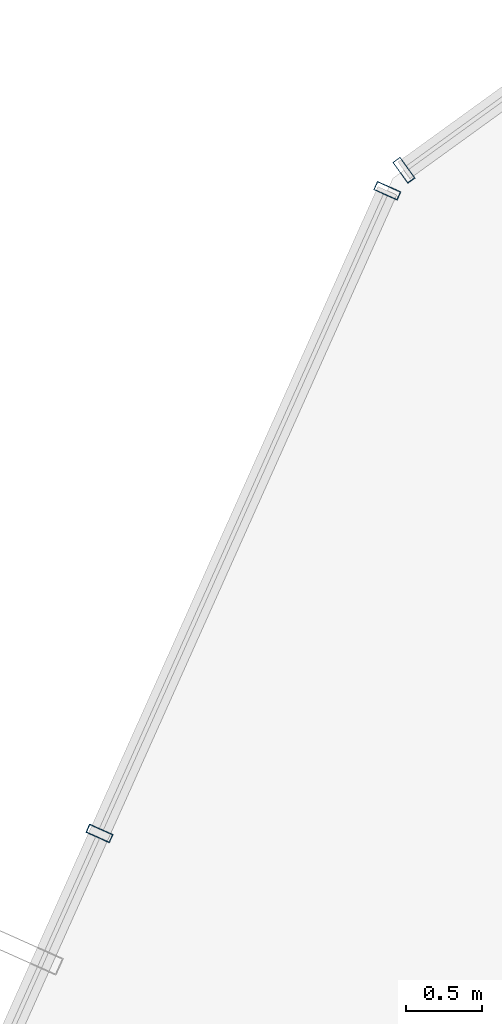
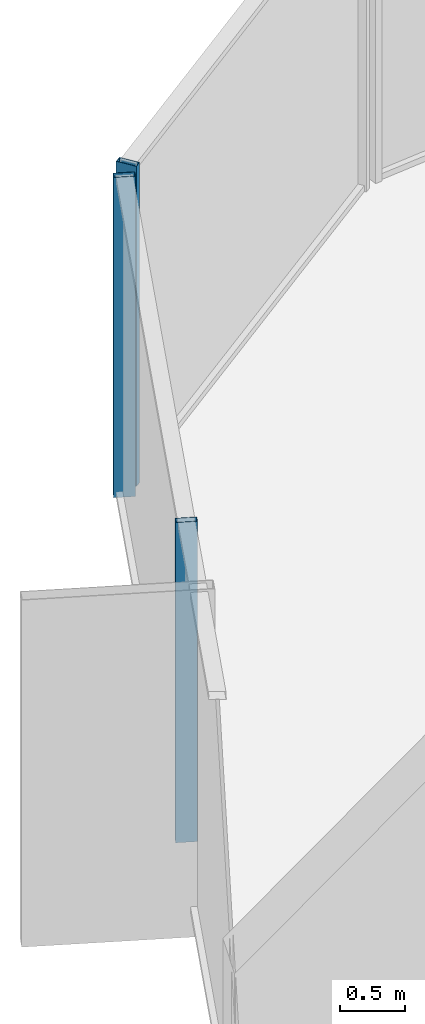
# One storey, part 21 of 37: 3 members, 2 elements without a shape of their own.
"""IFC4 building model written with IfcOpenShell, lengths in metres."""

from ifc_helpers import new_model, si_unit, direction, frame, origin, origin_2d, place, context, subcontext, project, spatial, hollow_rectangle, extrude, source, transform, mapped, material, layer, layer_set, material_profile, profile_set, type_object, element, aggregate, save


model = new_model("IFC4")

# Units and contexts
model_context = context("Model", 3, precision=1e-05, world=origin(), true_north=direction((0.0, 1.0)))
body_context = subcontext(model_context, "Body", "Model", "MODEL_VIEW")
ifc_project = project(units=[si_unit("LENGTHUNIT", "METRE"), si_unit("AREAUNIT", "SQUARE_METRE"), si_unit("VOLUMEUNIT", "CUBIC_METRE"), si_unit("PLANEANGLEUNIT", "RADIAN"), si_unit("MASSUNIT", "GRAM", prefix="KILO")], contexts=[model_context])

# Site, building, storey
site_placement = place(None, origin())
site = spatial("IfcSite", under=ifc_project, at=site_placement, CompositionType="ELEMENT")
building_placement = place(site_placement, origin())
building = spatial("IfcBuilding", under=site, at=building_placement, Name="Veraguas Prism Commons", CompositionType="ELEMENT")
storey_placement = place(building_placement, frame((0.0, 0.0, 43.550048828125)))
storey = spatial("IfcBuildingStorey", under=building, at=storey_placement, Name="L11", CompositionType="ELEMENT", Elevation=43.550048828125)

# Curtain wall, members
ifc_material = material(Name="Anodised aluminium EN AW-6063 T6", Category="aluminium")
ifc_layer = layer(ifc_material, 0.169921875, Name="Unitised Flush Curtain Wall Zone 1", Category="aluminium")
ifc_layer_set = layer_set([ifc_layer], Name="Anodised aluminium EN AW-6063 T6")
curtain_wall_type = type_object("IfcCurtainWallType", Name="Unitised Flush Curtain Wall Zone 1", PredefinedType="NOTDEFINED", material=ifc_layer_set)
curtain_wall_1_placement = place(storey_placement, origin())
curtain_wall_1 = element("IfcCurtainWall", 1, at=curtain_wall_1_placement, inside=storey, type_object=curtain_wall_type, Name="Tower Facade Curtain Wall L11-F3", PredefinedType="NOTDEFINED")
ifc_material_profile = material_profile(ifc_material, hollow_rectangle(XDim=0.06005859375, YDim=0.169921875, WallThickness=0.00390625, at=origin_2d()), Name="AL60X170X4")
ifc_profile_set = profile_set([ifc_material_profile], Name="Anodised aluminium EN AW-6063 T6")
member_type = type_object("IfcMemberType", Name="Curtain Wall Mullion Lower AL 60x170x4", PredefinedType="MULLION", material=ifc_profile_set)
shared_shape = source(origin(), body_context, "Body", "SweptSolid", [
    extrude(hollow_rectangle(XDim=0.06005859375, YDim=0.169921875, WallThickness=0.00390625, at=origin_2d()), origin(), (0.0, 0.0, 1.0), 3.0),
])
member_1_placement = place(storey_placement, frame((8.83544921875, 40.992431640625, 0.0), z_axis=(0.0, 0.0, 1.0), x_axis=(-0.408649074736, -0.912691587404, 0.0)))
member_1 = element("IfcMember", 2, at=member_1_placement, type_object=member_type, Name="CW-Z1 Mullion 1", PredefinedType="MULLION", context=body_context, shape_type="MappedRepresentation", body=[
    mapped(shared_shape, transform((0.0, 0.0, 0.0), scale=1.0)),
])
member_2_placement = place(storey_placement, frame((6.938720703125, 36.7568359375, 0.0), z_axis=(0.0, 0.0, 1.0), x_axis=(-0.408649074736, -0.912691587404, 0.0)))
member_2 = element("IfcMember", 3, at=member_2_placement, type_object=member_type, Name="CW-Z1 Mullion 2", PredefinedType="MULLION", context=body_context, shape_type="MappedRepresentation", body=[
    mapped(shared_shape, transform((0.0, 0.0, 0.0), scale=1.0)),
])
aggregate(curtain_wall_1, [member_1, member_2])

# Curtain wall, member
curtain_wall_2_placement = place(storey_placement, origin())
curtain_wall_2 = element("IfcCurtainWall", 4, at=curtain_wall_2_placement, inside=storey, type_object=curtain_wall_type, Name="Chamfer Curtain Wall L11-C3", PredefinedType="NOTDEFINED")
member_3_placement = place(storey_placement, frame((8.945068359375, 41.12744140625, 0.0), z_axis=(0.0, 0.0, 1.0), x_axis=(-0.810263662927, -0.586065522395, 0.0)))
member_3 = element("IfcMember", 5, at=member_3_placement, type_object=member_type, Name="CW-Z1 Mullion 2", PredefinedType="MULLION", context=body_context, shape_type="MappedRepresentation", body=[
    mapped(shared_shape, transform((0.0, 0.0, 0.0), scale=1.0)),
])
aggregate(curtain_wall_2, [member_3])

save(model, "model.ifc")
